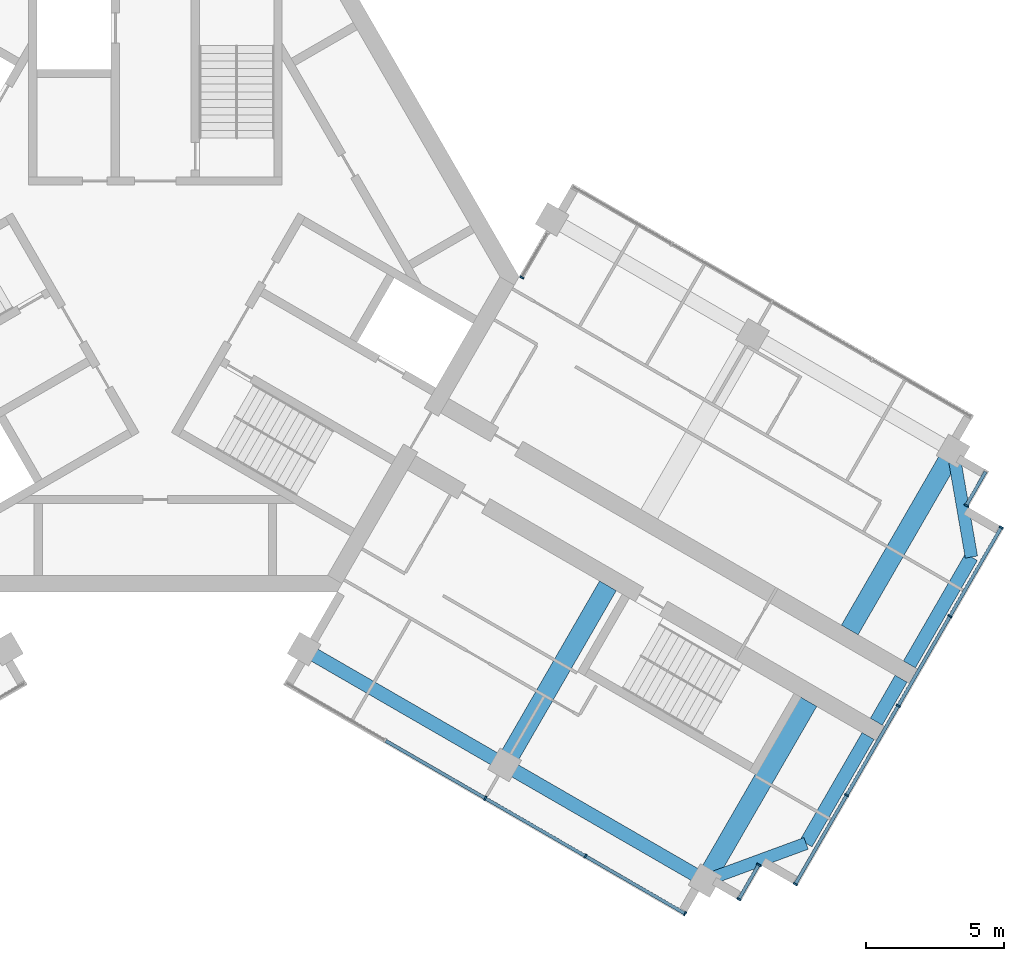
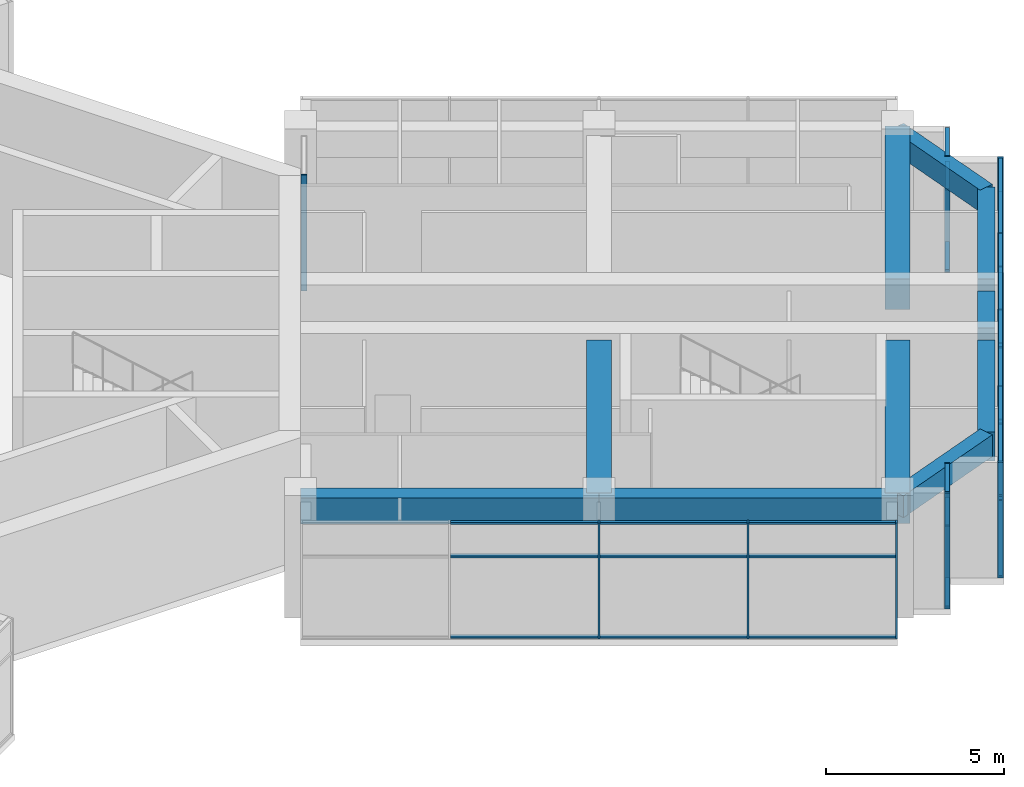
# One storey, part 4 of 13: 39 members, 10 beams, 5 elements without a shape of their own.
"""IFC4 building model written with IfcOpenShell, lengths in metres."""

from ifc_helpers import new_model, si_unit, direction, frame, origin, origin_2d, place, context, subcontext, project, spatial, rectangle, extrude, material, material_profile, profile_set, type_object, element, aggregate, save


model = new_model("IFC4")

# Units and contexts
model_context = context("Model", 3, precision=1e-05, world=origin(), true_north=direction((0.0, 1.0)))
body_context = subcontext(model_context, "Body", "Model", "MODEL_VIEW")
ifc_project = project(units=[si_unit("LENGTHUNIT", "METRE"), si_unit("AREAUNIT", "SQUARE_METRE"), si_unit("VOLUMEUNIT", "CUBIC_METRE"), si_unit("PLANEANGLEUNIT", "RADIAN"), si_unit("MASSUNIT", "GRAM", prefix="KILO")], contexts=[model_context])

# Site, building, storey
site_placement = place(None, origin())
site = spatial("IfcSite", under=ifc_project, at=site_placement, CompositionType="ELEMENT")
building_placement = place(site_placement, origin())
building = spatial("IfcBuilding", under=site, at=building_placement, Name="Impinga Residences", CompositionType="ELEMENT")
storey_placement = place(building_placement, frame((0.0, 0.0, 283.14990234375)))
storey = spatial("IfcBuildingStorey", under=building, at=storey_placement, Name="L71", CompositionType="ELEMENT", Elevation=283.14990234375)

# Beams
ifc_material_1 = material(Name="Concrete C60/75", Category="concrete")
ifc_material_profile_1 = material_profile(ifc_material_1, rectangle(XDim=0.449951171875, YDim=0.75, at=origin_2d()), Name="RC 450x750")
ifc_profile_set_1 = profile_set([ifc_material_profile_1], Name="Concrete C60/75")
beam_type_1 = type_object("IfcBeamType", Name="CB1 450x750 wing end cantilever beam", PredefinedType="BEAM", material=ifc_profile_set_1)
beam_1_placement = place(storey_placement, frame((28.94921875, -6.321533203125, 3.60498046875), z_axis=(0.170296298948, -0.985392901621, 0.0), x_axis=(0.985392901621, 0.170296298948, 0.0)))
element("IfcBeam", 1, at=beam_1_placement, inside=storey, type_object=beam_type_1, Name="Beam CB1 EB E3-EX level L72", PredefinedType="BEAM", context=body_context, shape_type="SweptSolid", body=[
    extrude(rectangle(XDim=0.449951171875, YDim=0.75, at=origin_2d()), origin(), (0.0, 0.0, 1.0), 3.9052734375),
])
beam_2_placement = place(storey_placement, frame((19.94921875, -21.909912109375, 3.60498046875), z_axis=(0.93854043338, 0.345169313396, 0.0), x_axis=(-0.345169313396, 0.93854043338, 0.0)))
element("IfcBeam", 2, at=beam_2_placement, inside=storey, type_object=beam_type_1, Name="Beam CB1 EE E3-EX level L72", PredefinedType="BEAM", context=body_context, shape_type="SweptSolid", body=[
    extrude(rectangle(XDim=0.449951171875, YDim=0.75, at=origin_2d()), origin(), (0.0, 0.0, 1.0), 3.905029296875),
])
ifc_material_profile_2 = material_profile(ifc_material_1, rectangle(XDim=0.699951171875, YDim=1.050048828125, at=origin_2d()), Name="RC 700x1050")
ifc_profile_set_2 = profile_set([ifc_material_profile_2], Name="Concrete C60/75")
beam_type_2 = type_object("IfcBeamType", Name="CG1 700x1050 cross girder on a wing bay line", PredefinedType="BEAM", material=ifc_profile_set_2)
for number, where, z_axis, x_axis, name in (
    (3, (25.19921875, -12.816650390625, 3.455078125), (0.500004234368, 0.866022959057, 0.0), (-0.866022959057, 0.500004234368, 0.0), "Beam CG1 E3 EC/EA level L72"),
    (4, (16.424560546875, -11.21484375, 3.455078125), (-0.500004234368, -0.866022959057, 0.0), (0.866022959057, -0.500004234368, 0.0), "Beam CG1 E2 EC/EF level L72"),
    (5, (23.69921875, -15.414794921875, 3.455078125), (-0.500004234368, -0.866022959057, 0.0), (0.866022959057, -0.500004234368, 0.0), "Beam CG1 E3 EC/EF level L72"),
):
    element("IfcBeam", number, at=place(storey_placement, frame(where, z_axis=z_axis, x_axis=x_axis)), inside=storey, type_object=beam_type_2, Name=name, PredefinedType="BEAM", context=body_context, shape_type="SweptSolid", body=[
        extrude(rectangle(XDim=0.699951171875, YDim=1.050048828125, at=origin_2d()), origin(), (0.0, 0.0, 1.0), 7.5),
    ])

# Curtain wall, member
ifc_material_2 = material(Name="Aluminium stick curtain wall", Category="aluminium")
curtain_wall_type = type_object("IfcCurtainWallType", Name="CW3 penthouse curtain wall", PredefinedType="USERDEFINED", material=ifc_material_2)
curtain_wall_1_placement = place(storey_placement, origin())
curtain_wall_1 = element("IfcCurtainWall", 6, at=curtain_wall_1_placement, inside=storey, type_object=curtain_wall_type, Name="Curtain wall CW3 L71", ObjectType="STICK CURTAIN WALL", PredefinedType="USERDEFINED")
ifc_material_3 = material(Name="Aluminium mullion", Category="aluminium")
ifc_material_profile_3 = material_profile(ifc_material_3, rectangle(XDim=0.06005859375, YDim=0.159912109375, at=origin_2d()), Name="60x160 mullion")
ifc_profile_set_3 = profile_set([ifc_material_profile_3], Name="Aluminium mullion")
member_type_1 = type_object("IfcMemberType", Name="CW3-M mullion 60x160", PredefinedType="MULLION", material=ifc_profile_set_3)
member_1_placement = place(storey_placement, frame((29.4267578125, -8.294677734375, 0.0), z_axis=(0.0, 0.0, 1.0), x_axis=(-0.500000030502, -0.866025386174, 0.0)))
member_1 = element("IfcMember", 7, at=member_1_placement, type_object=member_type_1, Name="CW3 mullion 2", PredefinedType="MULLION", context=body_context, shape_type="SweptSolid", body=[
    extrude(rectangle(XDim=0.06005859375, YDim=0.159912109375, at=origin_2d()), origin(), (0.0, 0.0, 1.0), 3.97998046875),
])

# Curtain wall, members
curtain_wall_2_placement = place(storey_placement, origin())
curtain_wall_2 = element("IfcCurtainWall", 8, at=curtain_wall_2_placement, inside=storey, type_object=curtain_wall_type, Name="Curtain wall CW3 L71", ObjectType="STICK CURTAIN WALL", PredefinedType="USERDEFINED")
member_2_placement = place(storey_placement, frame((30.69580078125, -9.0966796875, 0.0), z_axis=(0.0, 0.0, 1.0), x_axis=(-0.500000001632, -0.866025402842, 0.0)))
member_2 = element("IfcMember", 9, at=member_2_placement, type_object=member_type_1, Name="CW3 mullion 1", PredefinedType="MULLION", context=body_context, shape_type="SweptSolid", body=[
    extrude(rectangle(XDim=0.06005859375, YDim=0.159912109375, at=origin_2d()), origin(), (0.0, 0.0, 1.0), 3.97998046875),
])
member_3_placement = place(storey_placement, frame((28.835693359375, -12.318115234375, 0.0), z_axis=(0.0, 0.0, 1.0), x_axis=(-0.500000001632, -0.866025402842, 0.0)))
member_3 = element("IfcMember", 10, at=member_3_placement, type_object=member_type_1, Name="CW3 mullion 2", PredefinedType="MULLION", context=body_context, shape_type="SweptSolid", body=[
    extrude(rectangle(XDim=0.06005859375, YDim=0.159912109375, at=origin_2d()), origin(), (0.0, 0.0, 1.0), 3.97998046875),
])
member_4_placement = place(storey_placement, frame((26.960693359375, -15.565673828125, 0.0), z_axis=(0.0, 0.0, 1.0), x_axis=(-0.500000001632, -0.866025402842, 0.0)))
member_4 = element("IfcMember", 11, at=member_4_placement, type_object=member_type_1, Name="CW3 mullion 3", PredefinedType="MULLION", context=body_context, shape_type="SweptSolid", body=[
    extrude(rectangle(XDim=0.06005859375, YDim=0.159912109375, at=origin_2d()), origin(), (0.0, 0.0, 1.0), 3.97998046875),
])
member_5_placement = place(storey_placement, frame((25.085693359375, -18.8134765625, 0.0), z_axis=(0.0, 0.0, 1.0), x_axis=(-0.500000001632, -0.866025402842, 0.0)))
member_5 = element("IfcMember", 12, at=member_5_placement, type_object=member_type_1, Name="CW3 mullion 4", PredefinedType="MULLION", context=body_context, shape_type="SweptSolid", body=[
    extrude(rectangle(XDim=0.06005859375, YDim=0.159912109375, at=origin_2d()), origin(), (0.0, 0.0, 1.0), 3.97998046875),
])
member_6_placement = place(storey_placement, frame((23.2255859375, -22.034912109375, 0.0), z_axis=(0.0, 0.0, 1.0), x_axis=(-0.500000001632, -0.866025402842, 0.0)))
member_6 = element("IfcMember", 13, at=member_6_placement, type_object=member_type_1, Name="CW3 mullion 5", PredefinedType="MULLION", context=body_context, shape_type="SweptSolid", body=[
    extrude(rectangle(XDim=0.06005859375, YDim=0.159912109375, at=origin_2d()), origin(), (0.0, 0.0, 1.0), 3.97998046875),
])

curtain_wall_3_placement = place(storey_placement, origin())
curtain_wall_3 = element("IfcCurtainWall", 14, at=curtain_wall_3_placement, inside=storey, type_object=curtain_wall_type, Name="Curtain wall CW3 L71", ObjectType="STICK CURTAIN WALL", PredefinedType="USERDEFINED")
member_7_placement = place(storey_placement, frame((21.896728515625, -21.3369140625, 0.0), z_axis=(0.0, 0.0, 1.0), x_axis=(-0.500000030502, -0.866025386174, 0.0)))
member_7 = element("IfcMember", 15, at=member_7_placement, type_object=member_type_1, Name="CW3 mullion 1", PredefinedType="MULLION", context=body_context, shape_type="SweptSolid", body=[
    extrude(rectangle(XDim=0.06005859375, YDim=0.159912109375, at=origin_2d()), origin(), (0.0, 0.0, 1.0), 3.97998046875),
])
member_8_placement = place(storey_placement, frame((21.1767578125, -22.583984375, 0.0), z_axis=(0.0, 0.0, 1.0), x_axis=(-0.500000030502, -0.866025386174, 0.0)))
member_8 = element("IfcMember", 16, at=member_8_placement, type_object=member_type_1, Name="CW3 mullion 2", PredefinedType="MULLION", context=body_context, shape_type="SweptSolid", body=[
    extrude(rectangle(XDim=0.06005859375, YDim=0.159912109375, at=origin_2d()), origin(), (0.0, 0.0, 1.0), 3.97998046875),
])

curtain_wall_4_placement = place(storey_placement, origin())
curtain_wall_4 = element("IfcCurtainWall", 17, at=curtain_wall_4_placement, inside=storey, type_object=curtain_wall_type, Name="Curtain wall CW3 L71", ObjectType="STICK CURTAIN WALL", PredefinedType="USERDEFINED")
member_9_placement = place(storey_placement, frame((19.22314453125, -23.107421875, 0.0), z_axis=(0.0, 0.0, 1.0), x_axis=(-0.866025407005, 0.499999994423, 0.0)))
member_9 = element("IfcMember", 18, at=member_9_placement, type_object=member_type_1, Name="CW3 mullion 1", PredefinedType="MULLION", context=body_context, shape_type="SweptSolid", body=[
    extrude(rectangle(XDim=0.06005859375, YDim=0.159912109375, at=origin_2d()), origin(), (0.0, 0.0, 1.0), 3.97998046875),
])
member_10_placement = place(storey_placement, frame((15.61181640625, -21.0224609375, 0.0), z_axis=(0.0, 0.0, 1.0), x_axis=(-0.866025407005, 0.499999994423, 0.0)))
member_10 = element("IfcMember", 19, at=member_10_placement, type_object=member_type_1, Name="CW3 mullion 2", PredefinedType="MULLION", context=body_context, shape_type="SweptSolid", body=[
    extrude(rectangle(XDim=0.06005859375, YDim=0.159912109375, at=origin_2d()), origin(), (0.0, 0.0, 1.0), 3.97998046875),
])
member_11_placement = place(storey_placement, frame((11.974609375, -18.92236328125, 0.0), z_axis=(0.0, 0.0, 1.0), x_axis=(-0.866025407005, 0.499999994423, 0.0)))
member_11 = element("IfcMember", 20, at=member_11_placement, type_object=member_type_1, Name="CW3 mullion 3", PredefinedType="MULLION", context=body_context, shape_type="SweptSolid", body=[
    extrude(rectangle(XDim=0.06005859375, YDim=0.159912109375, at=origin_2d()), origin(), (0.0, 0.0, 1.0), 3.97998046875),
])

# Curtain wall, member
curtain_wall_5_placement = place(storey_placement, origin())
curtain_wall_5 = element("IfcCurtainWall", 21, at=curtain_wall_5_placement, inside=storey, type_object=curtain_wall_type, Name="Curtain wall CW3 L71", ObjectType="STICK CURTAIN WALL", PredefinedType="USERDEFINED")
member_12_placement = place(storey_placement, frame((13.301513671875, -0.02392578125, 0.0), z_axis=(0.0, 0.0, 1.0), x_axis=(0.50000010257, 0.866025344565, 0.0)))
member_12 = element("IfcMember", 22, at=member_12_placement, type_object=member_type_1, Name="CW3 mullion 1", PredefinedType="MULLION", context=body_context, shape_type="SweptSolid", body=[
    extrude(rectangle(XDim=0.06005859375, YDim=0.159912109375, at=origin_2d()), origin(), (0.0, 0.0, 1.0), 3.97998046875),
])
aggregate(curtain_wall_5, [member_12])

# Member
ifc_material_4 = material(Name="Aluminium transom", Category="aluminium")
ifc_material_profile_4 = material_profile(ifc_material_4, rectangle(XDim=0.06005859375, YDim=0.1201171875, at=origin_2d()), Name="60x120 transom")
ifc_profile_set_4 = profile_set([ifc_material_profile_4], Name="Aluminium transom")
member_type_2 = type_object("IfcMemberType", Name="CW3-T transom 60x120", PredefinedType="USERDEFINED", material=ifc_profile_set_4)
member_13_placement = place(storey_placement, frame((30.131591796875, -7.073486328125, 0.030029296875), z_axis=(-0.499982807329, -0.86603532975, 0.0), x_axis=(0.0, 0.0, 1.0)))
member_13 = element("IfcMember", 23, at=member_13_placement, type_object=member_type_2, Name="CW3 transom 1.1", ObjectType="TRANSOM", PredefinedType="USERDEFINED", context=body_context, shape_type="SweptSolid", body=[
    extrude(rectangle(XDim=0.06005859375, YDim=0.1201171875, at=origin_2d()), origin(), (0.0, 0.0, 1.0), 1.3798828125),
])

member_14_placement = place(storey_placement, frame((30.131591796875, -7.073486328125, 2.800048828125), z_axis=(-0.499982807329, -0.86603532975, 0.0), x_axis=(0.0, 0.0, 1.0)))
member_14 = element("IfcMember", 24, at=member_14_placement, type_object=member_type_2, Name="CW3 transom 1.2", ObjectType="TRANSOM", PredefinedType="USERDEFINED", context=body_context, shape_type="SweptSolid", body=[
    extrude(rectangle(XDim=0.06005859375, YDim=0.1201171875, at=origin_2d()), origin(), (0.0, 0.0, 1.0), 1.3798828125),
])

member_15_placement = place(storey_placement, frame((30.131591796875, -7.073486328125, 3.9501953125), z_axis=(-0.499982807329, -0.86603532975, 0.0), x_axis=(0.0, 0.0, 1.0)))
member_15 = element("IfcMember", 25, at=member_15_placement, type_object=member_type_2, Name="CW3 transom 1.3", ObjectType="TRANSOM", PredefinedType="USERDEFINED", context=body_context, shape_type="SweptSolid", body=[
    extrude(rectangle(XDim=0.06005859375, YDim=0.1201171875, at=origin_2d()), origin(), (0.0, 0.0, 1.0), 1.3798828125),
])

aggregate(curtain_wall_1, [member_1, member_13, member_14, member_15])

member_16_placement = place(storey_placement, frame((30.6806640625, -9.12255859375, 0.030029296875), z_axis=(-0.500013080017, -0.866017851902, 0.0), x_axis=(0.0, 0.0, 1.0)))
member_16 = element("IfcMember", 26, at=member_16_placement, type_object=member_type_2, Name="CW3 transom 1.1", ObjectType="TRANSOM", PredefinedType="USERDEFINED", context=body_context, shape_type="SweptSolid", body=[
    extrude(rectangle(XDim=0.06005859375, YDim=0.1201171875, at=origin_2d()), origin(), (0.0, 0.0, 1.0), 3.66015625),
])

member_17_placement = place(storey_placement, frame((30.6806640625, -9.12255859375, 2.800048828125), z_axis=(-0.500013080017, -0.866017851902, 0.0), x_axis=(0.0, 0.0, 1.0)))
member_17 = element("IfcMember", 27, at=member_17_placement, type_object=member_type_2, Name="CW3 transom 1.2", ObjectType="TRANSOM", PredefinedType="USERDEFINED", context=body_context, shape_type="SweptSolid", body=[
    extrude(rectangle(XDim=0.06005859375, YDim=0.1201171875, at=origin_2d()), origin(), (0.0, 0.0, 1.0), 3.66015625),
])

member_18_placement = place(storey_placement, frame((30.6806640625, -9.12255859375, 3.9501953125), z_axis=(-0.500013080017, -0.866017851902, 0.0), x_axis=(0.0, 0.0, 1.0)))
member_18 = element("IfcMember", 28, at=member_18_placement, type_object=member_type_2, Name="CW3 transom 1.3", ObjectType="TRANSOM", PredefinedType="USERDEFINED", context=body_context, shape_type="SweptSolid", body=[
    extrude(rectangle(XDim=0.06005859375, YDim=0.1201171875, at=origin_2d()), origin(), (0.0, 0.0, 1.0), 3.66015625),
])

member_19_placement = place(storey_placement, frame((28.82080078125, -12.34423828125, 0.030029296875), z_axis=(-0.500052713345, -0.865994967581, 0.0), x_axis=(0.0, 0.0, 1.0)))
member_19 = element("IfcMember", 29, at=member_19_placement, type_object=member_type_2, Name="CW3 transom 2.1", ObjectType="TRANSOM", PredefinedType="USERDEFINED", context=body_context, shape_type="SweptSolid", body=[
    extrude(rectangle(XDim=0.06005859375, YDim=0.1201171875, at=origin_2d()), origin(), (0.0, 0.0, 1.0), 3.68994140625),
])

member_20_placement = place(storey_placement, frame((28.82080078125, -12.34423828125, 2.800048828125), z_axis=(-0.500052713345, -0.865994967581, 0.0), x_axis=(0.0, 0.0, 1.0)))
member_20 = element("IfcMember", 30, at=member_20_placement, type_object=member_type_2, Name="CW3 transom 2.2", ObjectType="TRANSOM", PredefinedType="USERDEFINED", context=body_context, shape_type="SweptSolid", body=[
    extrude(rectangle(XDim=0.06005859375, YDim=0.1201171875, at=origin_2d()), origin(), (0.0, 0.0, 1.0), 3.68994140625),
])

member_21_placement = place(storey_placement, frame((28.82080078125, -12.34423828125, 3.9501953125), z_axis=(-0.500052713345, -0.865994967581, 0.0), x_axis=(0.0, 0.0, 1.0)))
member_21 = element("IfcMember", 31, at=member_21_placement, type_object=member_type_2, Name="CW3 transom 2.3", ObjectType="TRANSOM", PredefinedType="USERDEFINED", context=body_context, shape_type="SweptSolid", body=[
    extrude(rectangle(XDim=0.06005859375, YDim=0.1201171875, at=origin_2d()), origin(), (0.0, 0.0, 1.0), 3.68994140625),
])

member_22_placement = place(storey_placement, frame((26.94580078125, -15.591796875, 0.030029296875), z_axis=(-0.500052713345, -0.865994967581, 0.0), x_axis=(0.0, 0.0, 1.0)))
member_22 = element("IfcMember", 32, at=member_22_placement, type_object=member_type_2, Name="CW3 transom 3.1", ObjectType="TRANSOM", PredefinedType="USERDEFINED", context=body_context, shape_type="SweptSolid", body=[
    extrude(rectangle(XDim=0.06005859375, YDim=0.1201171875, at=origin_2d()), origin(), (0.0, 0.0, 1.0), 3.68994140625),
])

member_23_placement = place(storey_placement, frame((26.94580078125, -15.591796875, 2.800048828125), z_axis=(-0.500052713345, -0.865994967581, 0.0), x_axis=(0.0, 0.0, 1.0)))
member_23 = element("IfcMember", 33, at=member_23_placement, type_object=member_type_2, Name="CW3 transom 3.2", ObjectType="TRANSOM", PredefinedType="USERDEFINED", context=body_context, shape_type="SweptSolid", body=[
    extrude(rectangle(XDim=0.06005859375, YDim=0.1201171875, at=origin_2d()), origin(), (0.0, 0.0, 1.0), 3.68994140625),
])

member_24_placement = place(storey_placement, frame((26.94580078125, -15.591796875, 3.9501953125), z_axis=(-0.500052713345, -0.865994967581, 0.0), x_axis=(0.0, 0.0, 1.0)))
member_24 = element("IfcMember", 34, at=member_24_placement, type_object=member_type_2, Name="CW3 transom 3.3", ObjectType="TRANSOM", PredefinedType="USERDEFINED", context=body_context, shape_type="SweptSolid", body=[
    extrude(rectangle(XDim=0.06005859375, YDim=0.1201171875, at=origin_2d()), origin(), (0.0, 0.0, 1.0), 3.68994140625),
])

member_25_placement = place(storey_placement, frame((25.07080078125, -18.83935546875, 0.030029296875), z_axis=(-0.500013080017, -0.866017851902, 0.0), x_axis=(0.0, 0.0, 1.0)))
member_25 = element("IfcMember", 35, at=member_25_placement, type_object=member_type_2, Name="CW3 transom 4.1", ObjectType="TRANSOM", PredefinedType="USERDEFINED", context=body_context, shape_type="SweptSolid", body=[
    extrude(rectangle(XDim=0.06005859375, YDim=0.1201171875, at=origin_2d()), origin(), (0.0, 0.0, 1.0), 3.66015625),
])

member_26_placement = place(storey_placement, frame((25.07080078125, -18.83935546875, 2.800048828125), z_axis=(-0.500013080017, -0.866017851902, 0.0), x_axis=(0.0, 0.0, 1.0)))
member_26 = element("IfcMember", 36, at=member_26_placement, type_object=member_type_2, Name="CW3 transom 4.2", ObjectType="TRANSOM", PredefinedType="USERDEFINED", context=body_context, shape_type="SweptSolid", body=[
    extrude(rectangle(XDim=0.06005859375, YDim=0.1201171875, at=origin_2d()), origin(), (0.0, 0.0, 1.0), 3.66015625),
])

member_27_placement = place(storey_placement, frame((25.07080078125, -18.83935546875, 3.9501953125), z_axis=(-0.500013080017, -0.866017851902, 0.0), x_axis=(0.0, 0.0, 1.0)))
member_27 = element("IfcMember", 37, at=member_27_placement, type_object=member_type_2, Name="CW3 transom 4.3", ObjectType="TRANSOM", PredefinedType="USERDEFINED", context=body_context, shape_type="SweptSolid", body=[
    extrude(rectangle(XDim=0.06005859375, YDim=0.1201171875, at=origin_2d()), origin(), (0.0, 0.0, 1.0), 3.66015625),
])

aggregate(curtain_wall_2, [member_2, member_3, member_4, member_5, member_6, member_16, member_17, member_18, member_19, member_20, member_21, member_22, member_23, member_24, member_25, member_26, member_27])

member_28_placement = place(storey_placement, frame((21.881591796875, -21.363037109375, 0.030029296875), z_axis=(-0.499982807329, -0.86603532975, 0.0), x_axis=(0.0, 0.0, 1.0)))
member_28 = element("IfcMember", 38, at=member_28_placement, type_object=member_type_2, Name="CW3 transom 1.1", ObjectType="TRANSOM", PredefinedType="USERDEFINED", context=body_context, shape_type="SweptSolid", body=[
    extrude(rectangle(XDim=0.06005859375, YDim=0.1201171875, at=origin_2d()), origin(), (0.0, 0.0, 1.0), 1.3798828125),
])

member_29_placement = place(storey_placement, frame((21.881591796875, -21.363037109375, 2.800048828125), z_axis=(-0.499982807329, -0.86603532975, 0.0), x_axis=(0.0, 0.0, 1.0)))
member_29 = element("IfcMember", 39, at=member_29_placement, type_object=member_type_2, Name="CW3 transom 1.2", ObjectType="TRANSOM", PredefinedType="USERDEFINED", context=body_context, shape_type="SweptSolid", body=[
    extrude(rectangle(XDim=0.06005859375, YDim=0.1201171875, at=origin_2d()), origin(), (0.0, 0.0, 1.0), 1.3798828125),
])

member_30_placement = place(storey_placement, frame((21.881591796875, -21.363037109375, 3.9501953125), z_axis=(-0.499982807329, -0.86603532975, 0.0), x_axis=(0.0, 0.0, 1.0)))
member_30 = element("IfcMember", 40, at=member_30_placement, type_object=member_type_2, Name="CW3 transom 1.3", ObjectType="TRANSOM", PredefinedType="USERDEFINED", context=body_context, shape_type="SweptSolid", body=[
    extrude(rectangle(XDim=0.06005859375, YDim=0.1201171875, at=origin_2d()), origin(), (0.0, 0.0, 1.0), 1.3798828125),
])

aggregate(curtain_wall_3, [member_7, member_8, member_28, member_29, member_30])

member_31_placement = place(storey_placement, frame((19.197265625, -23.092529296875, 0.030029296875), z_axis=(-0.866004557827, 0.500036104519, 0.0), x_axis=(0.0, 0.0, 1.0)))
member_31 = element("IfcMember", 41, at=member_31_placement, type_object=member_type_2, Name="CW3 transom 1.1", ObjectType="TRANSOM", PredefinedType="USERDEFINED", context=body_context, shape_type="SweptSolid", body=[
    extrude(rectangle(XDim=0.06005859375, YDim=0.1201171875, at=origin_2d()), origin(), (0.0, 0.0, 1.0), 4.110107421875),
])

member_32_placement = place(storey_placement, frame((19.197265625, -23.092529296875, 2.800048828125), z_axis=(-0.866004557827, 0.500036104519, 0.0), x_axis=(0.0, 0.0, 1.0)))
member_32 = element("IfcMember", 42, at=member_32_placement, type_object=member_type_2, Name="CW3 transom 1.2", ObjectType="TRANSOM", PredefinedType="USERDEFINED", context=body_context, shape_type="SweptSolid", body=[
    extrude(rectangle(XDim=0.06005859375, YDim=0.1201171875, at=origin_2d()), origin(), (0.0, 0.0, 1.0), 4.110107421875),
])

member_33_placement = place(storey_placement, frame((19.197265625, -23.092529296875, 3.9501953125), z_axis=(-0.866004557827, 0.500036104519, 0.0), x_axis=(0.0, 0.0, 1.0)))
member_33 = element("IfcMember", 43, at=member_33_placement, type_object=member_type_2, Name="CW3 transom 1.3", ObjectType="TRANSOM", PredefinedType="USERDEFINED", context=body_context, shape_type="SweptSolid", body=[
    extrude(rectangle(XDim=0.06005859375, YDim=0.1201171875, at=origin_2d()), origin(), (0.0, 0.0, 1.0), 4.110107421875),
])

member_34_placement = place(storey_placement, frame((15.5859375, -21.00732421875, 0.030029296875), z_axis=(-0.866050071143, 0.499957272447, 0.0), x_axis=(0.0, 0.0, 1.0)))
member_34 = element("IfcMember", 44, at=member_34_placement, type_object=member_type_2, Name="CW3 transom 2.1", ObjectType="TRANSOM", PredefinedType="USERDEFINED", context=body_context, shape_type="SweptSolid", body=[
    extrude(rectangle(XDim=0.06005859375, YDim=0.1201171875, at=origin_2d()), origin(), (0.0, 0.0, 1.0), 4.139892578125),
])

member_35_placement = place(storey_placement, frame((15.5859375, -21.00732421875, 2.800048828125), z_axis=(-0.866050071143, 0.499957272447, 0.0), x_axis=(0.0, 0.0, 1.0)))
member_35 = element("IfcMember", 45, at=member_35_placement, type_object=member_type_2, Name="CW3 transom 2.2", ObjectType="TRANSOM", PredefinedType="USERDEFINED", context=body_context, shape_type="SweptSolid", body=[
    extrude(rectangle(XDim=0.06005859375, YDim=0.1201171875, at=origin_2d()), origin(), (0.0, 0.0, 1.0), 4.139892578125),
])

member_36_placement = place(storey_placement, frame((15.5859375, -21.00732421875, 3.9501953125), z_axis=(-0.866050071143, 0.499957272447, 0.0), x_axis=(0.0, 0.0, 1.0)))
member_36 = element("IfcMember", 46, at=member_36_placement, type_object=member_type_2, Name="CW3 transom 2.3", ObjectType="TRANSOM", PredefinedType="USERDEFINED", context=body_context, shape_type="SweptSolid", body=[
    extrude(rectangle(XDim=0.06005859375, YDim=0.1201171875, at=origin_2d()), origin(), (0.0, 0.0, 1.0), 4.139892578125),
])

member_37_placement = place(storey_placement, frame((11.94873046875, -18.907470703125, 0.030029296875), z_axis=(-0.866024536972, 0.500001501361, 0.0), x_axis=(0.0, 0.0, 1.0)))
member_37 = element("IfcMember", 47, at=member_37_placement, type_object=member_type_2, Name="CW3 transom 3.1", ObjectType="TRANSOM", PredefinedType="USERDEFINED", context=body_context, shape_type="SweptSolid", body=[
    extrude(rectangle(XDim=0.06005859375, YDim=0.1201171875, at=origin_2d()), origin(), (0.0, 0.0, 1.0), 4.14013671875),
])

member_38_placement = place(storey_placement, frame((11.94873046875, -18.907470703125, 2.800048828125), z_axis=(-0.866024536972, 0.500001501361, 0.0), x_axis=(0.0, 0.0, 1.0)))
member_38 = element("IfcMember", 48, at=member_38_placement, type_object=member_type_2, Name="CW3 transom 3.2", ObjectType="TRANSOM", PredefinedType="USERDEFINED", context=body_context, shape_type="SweptSolid", body=[
    extrude(rectangle(XDim=0.06005859375, YDim=0.1201171875, at=origin_2d()), origin(), (0.0, 0.0, 1.0), 4.14013671875),
])

member_39_placement = place(storey_placement, frame((11.94873046875, -18.907470703125, 3.9501953125), z_axis=(-0.866024536972, 0.500001501361, 0.0), x_axis=(0.0, 0.0, 1.0)))
member_39 = element("IfcMember", 49, at=member_39_placement, type_object=member_type_2, Name="CW3 transom 3.3", ObjectType="TRANSOM", PredefinedType="USERDEFINED", context=body_context, shape_type="SweptSolid", body=[
    extrude(rectangle(XDim=0.06005859375, YDim=0.1201171875, at=origin_2d()), origin(), (0.0, 0.0, 1.0), 4.14013671875),
])

aggregate(curtain_wall_4, [member_9, member_10, member_11, member_31, member_32, member_33, member_34, member_35, member_36, member_37, member_38, member_39])

# Beams
ifc_material_profile_5 = material_profile(ifc_material_1, rectangle(XDim=0.5, YDim=1.0, at=origin_2d()), Name="RC 500x1000")
ifc_profile_set_5 = profile_set([ifc_material_profile_5], Name="Concrete C60/75")
beam_type_3 = type_object("IfcBeamType", Name="EB1 500x1000 wing end beam", PredefinedType="BEAM", material=ifc_profile_set_5)
beam_3_placement = place(storey_placement, frame((29.6142578125, -10.169677734375, 3.47998046875), z_axis=(-0.500013631625, -0.866017533419, 0.0), x_axis=(0.866017533419, -0.500013631625, 0.0)))
element("IfcBeam", 50, at=beam_3_placement, inside=storey, type_object=beam_type_3, Name="Beam EB1 EX2 level L72", PredefinedType="BEAM", context=body_context, shape_type="SweptSolid", body=[
    extrude(rectangle(XDim=0.5, YDim=1.0, at=origin_2d()), origin(), (0.0, 0.0, 1.0), 4.499755859375),
])
beam_4_placement = place(storey_placement, frame((27.064208984375, -14.58642578125, 3.47998046875), z_axis=(-0.499961193289, -0.866047807691, 0.0), x_axis=(0.866047807691, -0.499961193289, 0.0)))
element("IfcBeam", 51, at=beam_4_placement, inside=storey, type_object=beam_type_3, Name="Beam EB1 EX2 level L72", PredefinedType="BEAM", context=body_context, shape_type="SweptSolid", body=[
    extrude(rectangle(XDim=0.5, YDim=1.0, at=origin_2d()), origin(), (0.0, 0.0, 1.0), 1.800048828125),
])
beam_5_placement = place(storey_placement, frame((25.8642578125, -16.664794921875, 3.47998046875), z_axis=(-0.499990139034, -0.866031096941, 0.0), x_axis=(0.866031096941, -0.499990139034, 0.0)))
element("IfcBeam", 52, at=beam_5_placement, inside=storey, type_object=beam_type_3, Name="Beam EB1 EX2 level L72", PredefinedType="BEAM", context=body_context, shape_type="SweptSolid", body=[
    extrude(rectangle(XDim=0.5, YDim=1.0, at=origin_2d()), origin(), (0.0, 0.0, 1.0), 4.5),
])
ifc_material_profile_6 = material_profile(ifc_material_1, rectangle(XDim=0.5, YDim=0.89990234375, at=origin_2d()), Name="RC 500x900")
ifc_profile_set_6 = profile_set([ifc_material_profile_6], Name="Concrete C60/75")
beam_type_4 = type_object("IfcBeamType", Name="SB1 500x900 perimeter spandrel beam", PredefinedType="SPANDREL", material=ifc_profile_set_6)
for number, where, z_axis, x_axis, name in (
    (53, (5.39990234375, -13.510009765625, 3.530029296875), (0.86602925447, -0.499993330357, 0.0), (0.499993330357, 0.86602925447, 0.0), "Beam SB1 EF E1-E2 level L72"),
    (54, (12.674560546875, -17.7099609375, 3.530029296875), (0.86602925447, -0.499993330357, 0.0), (0.499993330357, 0.86602925447, 0.0), "Beam SB1 EF E2-E3 level L72"),
):
    element("IfcBeam", number, at=place(storey_placement, frame(where, z_axis=z_axis, x_axis=x_axis)), inside=storey, type_object=beam_type_4, Name=name, PredefinedType="SPANDREL", context=body_context, shape_type="SweptSolid", body=[
        extrude(rectangle(XDim=0.5, YDim=0.89990234375, at=origin_2d()), origin(), (0.0, 0.0, 1.0), 8.39990234375),
    ])

save(model, "model.ifc")
